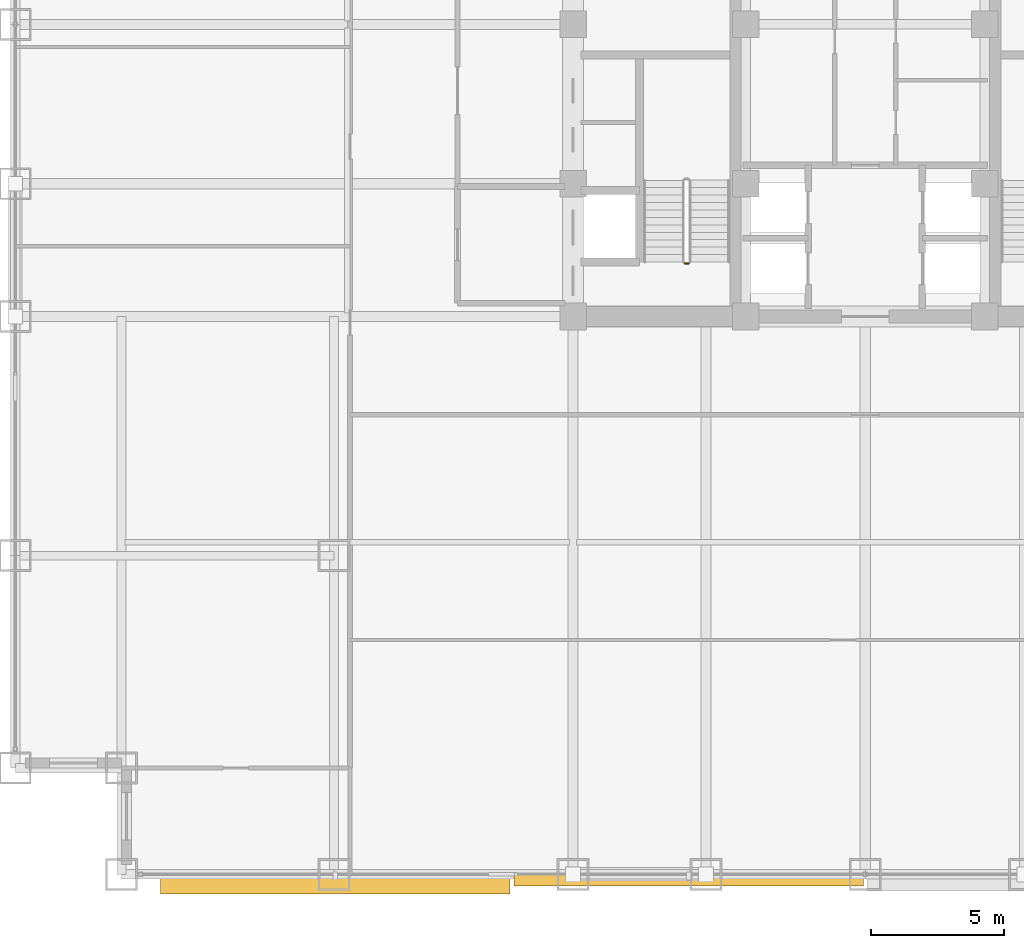
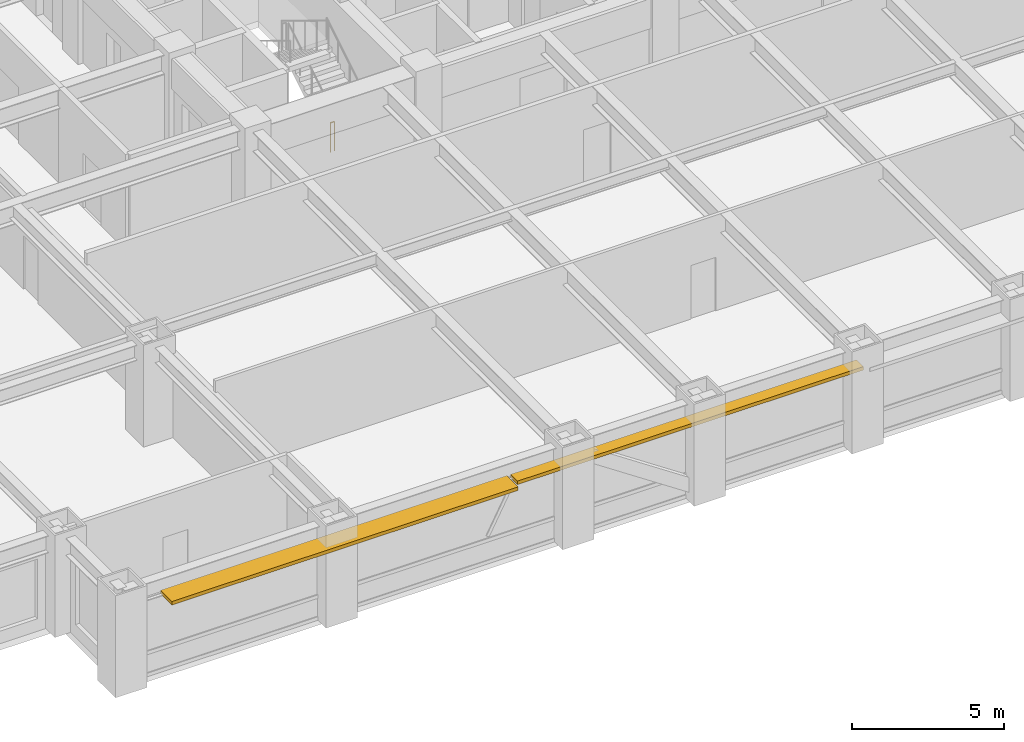
# One storey, part 28 of 32: 2 shading devices, 1 railing.
"""IFC4 building model written with IfcOpenShell, lengths in metres."""

from ifc_helpers import new_model, si_unit, direction, frame, origin, origin_2d, place, context, subcontext, project, spatial, rectangle, circle, extrude, source, transform, mapped, material, layer, layer_set, type_object, element, save


model = new_model("IFC4")

# Units and contexts
model_context = context("Model", 3, precision=1e-05, world=origin(), true_north=direction((0.0, 1.0)))
body_context = subcontext(model_context, "Body", "Model", "MODEL_VIEW")
ifc_project = project(units=[si_unit("LENGTHUNIT", "METRE"), si_unit("AREAUNIT", "SQUARE_METRE"), si_unit("VOLUMEUNIT", "CUBIC_METRE"), si_unit("PLANEANGLEUNIT", "RADIAN"), si_unit("MASSUNIT", "GRAM", prefix="KILO")], contexts=[model_context])

# Site, building, storey
site_placement = place(None, origin())
site = spatial("IfcSite", under=ifc_project, at=site_placement, CompositionType="ELEMENT")
building_placement = place(site_placement, origin())
building = spatial("IfcBuilding", under=site, at=building_placement, Name="Khorayat Bourse Tower", CompositionType="ELEMENT")
storey_placement = place(building_placement, frame((0.0, 0.0, 91.39990234375)))
storey = spatial("IfcBuildingStorey", under=building, at=storey_placement, Name="L20", CompositionType="ELEMENT", Elevation=91.39990234375)

# Shading devices
ifc_material_1 = material(Name="Precast concrete C45/55", Category="concrete")
ifc_layer = layer(ifc_material_1, 0.139892578125)
ifc_layer_set = layer_set([ifc_layer], Name="Precast concrete C45/55")
shading_device_type = type_object("IfcShadingDeviceType", Name="SHD-WAVE-TRAY-B", PredefinedType="USERDEFINED", material=ifc_layer_set)
shared_shape_1 = source(origin(), body_context, "Body", "SweptSolid", [
    extrude(rectangle(XDim=13.159912109375, YDim=0.751953125, at=origin_2d()), origin(), (0.0, 0.0, 1.0), 0.139892578125),
])
shading_device_1_placement = place(storey_placement, frame((-19.949951171875, -32.35595703125, 3.09033203125), z_axis=(0.0, 0.0, 1.0), x_axis=(1.0, 0.0, 0.0)))
element("IfcShadingDevice", 1, at=shading_device_1_placement, inside=storey, type_object=shading_device_type, Name="L20 Sinusoidal Wave Sunshade Tray S-1", ObjectType="SUNSHADE", PredefinedType="USERDEFINED", context=body_context, shape_type="MappedRepresentation", body=[
    mapped(shared_shape_1, transform((0.0, 0.0, 0.0), scale=1.0)),
])
shared_shape_2 = source(origin(), body_context, "Body", "SweptSolid", [
    extrude(rectangle(XDim=13.159912109375, YDim=0.45458984375, at=origin_2d()), origin(), (0.0, 0.0, 1.0), 0.139892578125),
])
shading_device_2_placement = place(storey_placement, frame((-6.64990234375, -32.207275390625, 3.09033203125), z_axis=(0.0, 0.0, 1.0), x_axis=(1.0, 0.0, 0.0)))
element("IfcShadingDevice", 2, at=shading_device_2_placement, inside=storey, type_object=shading_device_type, Name="L20 Sinusoidal Wave Sunshade Tray S-2", ObjectType="SUNSHADE", PredefinedType="USERDEFINED", context=body_context, shape_type="MappedRepresentation", body=[
    mapped(shared_shape_2, transform((0.0, 0.0, 0.0), scale=1.0)),
])

# Railing
ifc_material_2 = material(Name="Powder-coated steel balustrade", Category="steel")
railing_type = type_object("IfcRailingType", Name="RLG-GUARD-1200", PredefinedType="GUARDRAIL", material=ifc_material_2)
shared_shape_3 = source(origin(), body_context, "Body", "SweptSolid", [
    extrude(circle(Radius=0.02392578125, at=origin_2d()), frame((0.0, 0.0, 1.17578125), z_axis=(-1.0, 0.0, 0.0), x_axis=(0.0, -1.0, 0.0)), (0.0, 0.0, 1.0), 0.150146484375),
    extrude(circle(Radius=0.02099609375, at=origin_2d()), origin(), (0.0, 0.0, 1.0), 1.15185546875),
    extrude(circle(Radius=0.02099609375, at=origin_2d()), frame((-0.150146484375, 0.0, 0.0)), (0.0, 0.0, 1.0), 1.15185546875),
])
railing_placement = place(storey_placement, frame((-6.64990234375, -9.0, 0.0)))
element("IfcRailing", 3, at=railing_placement, inside=storey, type_object=railing_type, Name="L20 ST-1 stair guard 4", PredefinedType="GUARDRAIL", context=body_context, shape_type="MappedRepresentation", body=[
    mapped(shared_shape_3, transform((0.0, 0.0, 0.0), scale=1.0)),
])

save(model, "model.ifc")
